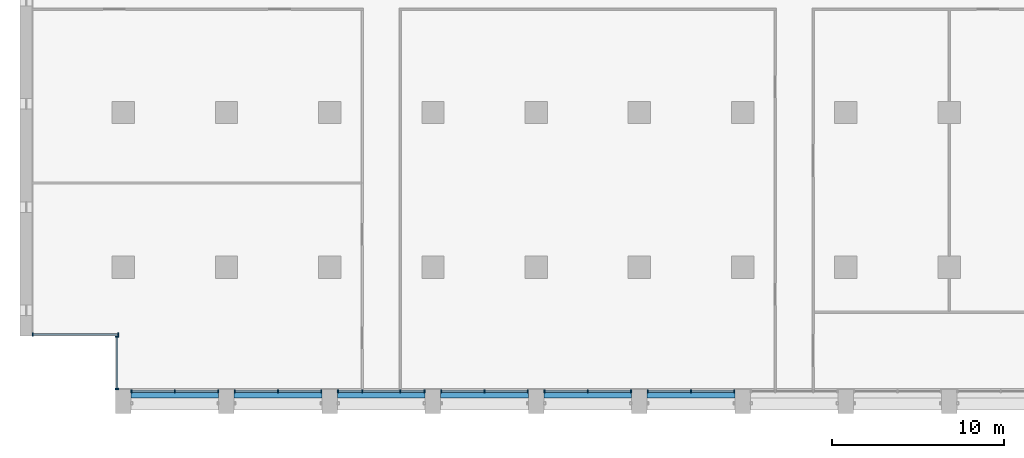
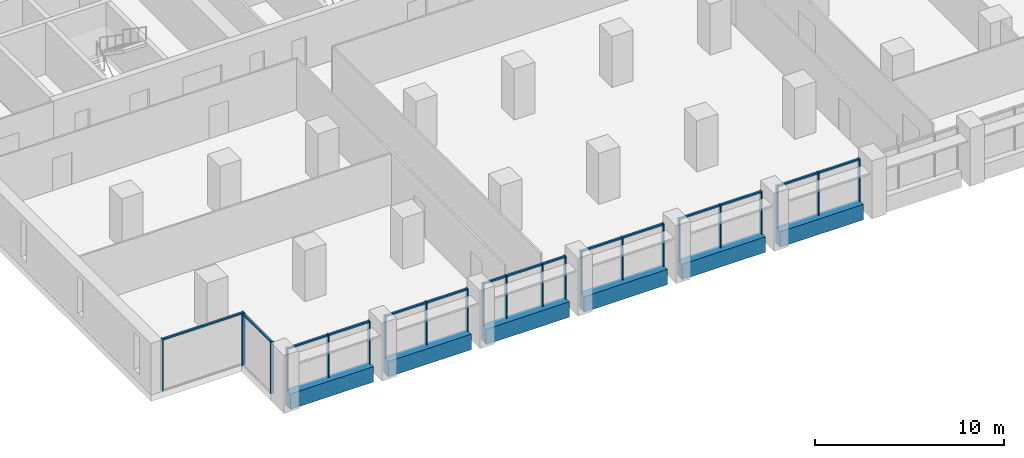
# One storey, part 2 of 15: 38 members, 6 beams, 8 elements without a shape of their own.
"""IFC4 building model written with IfcOpenShell, lengths in metres."""

from ifc_helpers import new_model, si_unit, direction, frame, origin, origin_2d, place, context, subcontext, project, spatial, rectangle, extrude, material, material_profile, profile_set, type_object, element, aggregate, save


model = new_model("IFC4")

# Units and contexts
model_context = context("Model", 3, precision=1e-05, world=origin(), true_north=direction((0.0, 1.0)))
body_context = subcontext(model_context, "Body", "Model", "MODEL_VIEW")
ifc_project = project(units=[si_unit("LENGTHUNIT", "METRE"), si_unit("AREAUNIT", "SQUARE_METRE"), si_unit("VOLUMEUNIT", "CUBIC_METRE"), si_unit("PLANEANGLEUNIT", "RADIAN"), si_unit("MASSUNIT", "GRAM", prefix="KILO")], contexts=[model_context])

# Site, building, storey
site_placement = place(None, origin())
site = spatial("IfcSite", under=ifc_project, at=site_placement, CompositionType="ELEMENT")
building_placement = place(site_placement, origin())
building = spatial("IfcBuilding", under=site, at=building_placement, Name="Calvaro Tower", CompositionType="ELEMENT")
storey_placement = place(building_placement, frame((0.0, 0.0, 128.75)))
storey = spatial("IfcBuildingStorey", under=building, at=storey_placement, Name="L32", CompositionType="ELEMENT", Elevation=128.75)

# Curtain wall, members
ifc_material_1 = material(Name="Anodised aluminium", Category="aluminium")
curtain_wall_type = type_object("IfcCurtainWallType", Name="Office curtain wall, middle zone", PredefinedType="NOTDEFINED", material=ifc_material_1)
curtain_wall_1_placement = place(storey_placement, origin())
curtain_wall_1 = element("IfcCurtainWall", 1, at=curtain_wall_1_placement, inside=storey, type_object=curtain_wall_type, Name="CW2 south curtain wall", PredefinedType="NOTDEFINED")
ifc_material_2 = material(Name="Anodised aluminium", Category="aluminium")
ifc_material_profile_1 = material_profile(ifc_material_2, rectangle(XDim=0.199951171875, YDim=0.070068359375, at=origin_2d()), Name="Mullion S2 70 x 200")
ifc_profile_set_1 = profile_set([ifc_material_profile_1], Name="Anodised aluminium")
member_type_1 = type_object("IfcMemberType", Name="Mullion S2 70 x 200", PredefinedType="MULLION", material=ifc_profile_set_1)
member_1_placement = place(storey_placement, frame((6.485107421875, 2.800048828125, 0.0), z_axis=(0.0, 0.0, 1.0), x_axis=(0.0, 1.0, 0.0)))
member_1 = element("IfcMember", 2, at=member_1_placement, type_object=member_type_1, Name="CW2 mullion 1", PredefinedType="MULLION", context=body_context, shape_type="SweptSolid", body=[
    extrude(rectangle(XDim=0.199951171875, YDim=0.070068359375, at=origin_2d()), origin(), (0.0, 0.0, 1.0), 2.75),
])
member_2_placement = place(storey_placement, frame((9.0, 2.800048828125, 0.0), z_axis=(0.0, 0.0, 1.0), x_axis=(0.0, 1.0, 0.0)))
member_2 = element("IfcMember", 3, at=member_2_placement, type_object=member_type_1, Name="CW2 mullion 2", PredefinedType="MULLION", context=body_context, shape_type="SweptSolid", body=[
    extrude(rectangle(XDim=0.199951171875, YDim=0.070068359375, at=origin_2d()), origin(), (0.0, 0.0, 1.0), 2.75),
])
member_3_placement = place(storey_placement, frame((11.514892578125, 2.800048828125, 0.0), z_axis=(0.0, 0.0, 1.0), x_axis=(0.0, 1.0, 0.0)))
member_3 = element("IfcMember", 4, at=member_3_placement, type_object=member_type_1, Name="CW2 mullion 3", PredefinedType="MULLION", context=body_context, shape_type="SweptSolid", body=[
    extrude(rectangle(XDim=0.199951171875, YDim=0.070068359375, at=origin_2d()), origin(), (0.0, 0.0, 1.0), 2.75),
])

curtain_wall_2_placement = place(storey_placement, origin())
curtain_wall_2 = element("IfcCurtainWall", 5, at=curtain_wall_2_placement, inside=storey, type_object=curtain_wall_type, Name="CW2 south curtain wall", PredefinedType="NOTDEFINED")
member_4_placement = place(storey_placement, frame((12.485107421875, 2.800048828125, 0.0), z_axis=(0.0, 0.0, 1.0), x_axis=(0.0, 1.0, 0.0)))
member_4 = element("IfcMember", 6, at=member_4_placement, type_object=member_type_1, Name="CW2 mullion 1", PredefinedType="MULLION", context=body_context, shape_type="SweptSolid", body=[
    extrude(rectangle(XDim=0.199951171875, YDim=0.070068359375, at=origin_2d()), origin(), (0.0, 0.0, 1.0), 2.75),
])
member_5_placement = place(storey_placement, frame((15.0, 2.800048828125, 0.0), z_axis=(0.0, 0.0, 1.0), x_axis=(0.0, 1.0, 0.0)))
member_5 = element("IfcMember", 7, at=member_5_placement, type_object=member_type_1, Name="CW2 mullion 2", PredefinedType="MULLION", context=body_context, shape_type="SweptSolid", body=[
    extrude(rectangle(XDim=0.199951171875, YDim=0.070068359375, at=origin_2d()), origin(), (0.0, 0.0, 1.0), 2.75),
])
member_6_placement = place(storey_placement, frame((17.514892578125, 2.800048828125, 0.0), z_axis=(0.0, 0.0, 1.0), x_axis=(0.0, 1.0, 0.0)))
member_6 = element("IfcMember", 8, at=member_6_placement, type_object=member_type_1, Name="CW2 mullion 3", PredefinedType="MULLION", context=body_context, shape_type="SweptSolid", body=[
    extrude(rectangle(XDim=0.199951171875, YDim=0.070068359375, at=origin_2d()), origin(), (0.0, 0.0, 1.0), 2.75),
])

curtain_wall_3_placement = place(storey_placement, origin())
curtain_wall_3 = element("IfcCurtainWall", 9, at=curtain_wall_3_placement, inside=storey, type_object=curtain_wall_type, Name="CW2 south curtain wall", PredefinedType="NOTDEFINED")
member_7_placement = place(storey_placement, frame((18.485107421875, 2.800048828125, 0.0), z_axis=(0.0, 0.0, 1.0), x_axis=(0.0, 1.0, 0.0)))
member_7 = element("IfcMember", 10, at=member_7_placement, type_object=member_type_1, Name="CW2 mullion 1", PredefinedType="MULLION", context=body_context, shape_type="SweptSolid", body=[
    extrude(rectangle(XDim=0.199951171875, YDim=0.070068359375, at=origin_2d()), origin(), (0.0, 0.0, 1.0), 2.75),
])
member_8_placement = place(storey_placement, frame((19.89990234375, 2.800048828125, 0.0), z_axis=(0.0, 0.0, 1.0), x_axis=(0.0, 1.0, 0.0)))
member_8 = element("IfcMember", 11, at=member_8_placement, type_object=member_type_1, Name="CW2 mullion 2", PredefinedType="MULLION", context=body_context, shape_type="SweptSolid", body=[
    extrude(rectangle(XDim=0.199951171875, YDim=0.070068359375, at=origin_2d()), origin(), (0.0, 0.0, 1.0), 2.75),
])
member_9_placement = place(storey_placement, frame((22.10009765625, 2.800048828125, 0.0), z_axis=(0.0, 0.0, 1.0), x_axis=(0.0, 1.0, 0.0)))
member_9 = element("IfcMember", 12, at=member_9_placement, type_object=member_type_1, Name="CW2 mullion 3", PredefinedType="MULLION", context=body_context, shape_type="SweptSolid", body=[
    extrude(rectangle(XDim=0.199951171875, YDim=0.070068359375, at=origin_2d()), origin(), (0.0, 0.0, 1.0), 2.75),
])
member_10_placement = place(storey_placement, frame((23.514892578125, 2.800048828125, 0.0), z_axis=(0.0, 0.0, 1.0), x_axis=(0.0, 1.0, 0.0)))
member_10 = element("IfcMember", 13, at=member_10_placement, type_object=member_type_1, Name="CW2 mullion 4", PredefinedType="MULLION", context=body_context, shape_type="SweptSolid", body=[
    extrude(rectangle(XDim=0.199951171875, YDim=0.070068359375, at=origin_2d()), origin(), (0.0, 0.0, 1.0), 2.75),
])

curtain_wall_4_placement = place(storey_placement, origin())
curtain_wall_4 = element("IfcCurtainWall", 14, at=curtain_wall_4_placement, inside=storey, type_object=curtain_wall_type, Name="CW2 south curtain wall", PredefinedType="NOTDEFINED")
member_11_placement = place(storey_placement, frame((24.485107421875, 2.800048828125, 0.0), z_axis=(0.0, 0.0, 1.0), x_axis=(0.0, 1.0, 0.0)))
member_11 = element("IfcMember", 15, at=member_11_placement, type_object=member_type_1, Name="CW2 mullion 1", PredefinedType="MULLION", context=body_context, shape_type="SweptSolid", body=[
    extrude(rectangle(XDim=0.199951171875, YDim=0.070068359375, at=origin_2d()), origin(), (0.0, 0.0, 1.0), 2.75),
])
member_12_placement = place(storey_placement, frame((27.0, 2.800048828125, 0.0), z_axis=(0.0, 0.0, 1.0), x_axis=(0.0, 1.0, 0.0)))
member_12 = element("IfcMember", 16, at=member_12_placement, type_object=member_type_1, Name="CW2 mullion 2", PredefinedType="MULLION", context=body_context, shape_type="SweptSolid", body=[
    extrude(rectangle(XDim=0.199951171875, YDim=0.070068359375, at=origin_2d()), origin(), (0.0, 0.0, 1.0), 2.75),
])
member_13_placement = place(storey_placement, frame((29.514892578125, 2.800048828125, 0.0), z_axis=(0.0, 0.0, 1.0), x_axis=(0.0, 1.0, 0.0)))
member_13 = element("IfcMember", 17, at=member_13_placement, type_object=member_type_1, Name="CW2 mullion 3", PredefinedType="MULLION", context=body_context, shape_type="SweptSolid", body=[
    extrude(rectangle(XDim=0.199951171875, YDim=0.070068359375, at=origin_2d()), origin(), (0.0, 0.0, 1.0), 2.75),
])

curtain_wall_5_placement = place(storey_placement, origin())
curtain_wall_5 = element("IfcCurtainWall", 18, at=curtain_wall_5_placement, inside=storey, type_object=curtain_wall_type, Name="CW2 south curtain wall", PredefinedType="NOTDEFINED")
member_14_placement = place(storey_placement, frame((30.485107421875, 2.800048828125, 0.0), z_axis=(0.0, 0.0, 1.0), x_axis=(0.0, 1.0, 0.0)))
member_14 = element("IfcMember", 19, at=member_14_placement, type_object=member_type_1, Name="CW2 mullion 1", PredefinedType="MULLION", context=body_context, shape_type="SweptSolid", body=[
    extrude(rectangle(XDim=0.199951171875, YDim=0.070068359375, at=origin_2d()), origin(), (0.0, 0.0, 1.0), 2.75),
])
member_15_placement = place(storey_placement, frame((33.0, 2.800048828125, 0.0), z_axis=(0.0, 0.0, 1.0), x_axis=(0.0, 1.0, 0.0)))
member_15 = element("IfcMember", 20, at=member_15_placement, type_object=member_type_1, Name="CW2 mullion 2", PredefinedType="MULLION", context=body_context, shape_type="SweptSolid", body=[
    extrude(rectangle(XDim=0.199951171875, YDim=0.070068359375, at=origin_2d()), origin(), (0.0, 0.0, 1.0), 2.75),
])
member_16_placement = place(storey_placement, frame((35.514892578125, 2.800048828125, 0.0), z_axis=(0.0, 0.0, 1.0), x_axis=(0.0, 1.0, 0.0)))
member_16 = element("IfcMember", 21, at=member_16_placement, type_object=member_type_1, Name="CW2 mullion 3", PredefinedType="MULLION", context=body_context, shape_type="SweptSolid", body=[
    extrude(rectangle(XDim=0.199951171875, YDim=0.070068359375, at=origin_2d()), origin(), (0.0, 0.0, 1.0), 2.75),
])

curtain_wall_6_placement = place(storey_placement, origin())
curtain_wall_6 = element("IfcCurtainWall", 22, at=curtain_wall_6_placement, inside=storey, type_object=curtain_wall_type, Name="CW2 south curtain wall", PredefinedType="NOTDEFINED")
member_17_placement = place(storey_placement, frame((36.485107421875, 2.800048828125, 0.0), z_axis=(0.0, 0.0, 1.0), x_axis=(0.0, 1.0, 0.0)))
member_17 = element("IfcMember", 23, at=member_17_placement, type_object=member_type_1, Name="CW2 mullion 1", PredefinedType="MULLION", context=body_context, shape_type="SweptSolid", body=[
    extrude(rectangle(XDim=0.199951171875, YDim=0.070068359375, at=origin_2d()), origin(), (0.0, 0.0, 1.0), 2.75),
])
member_18_placement = place(storey_placement, frame((39.0, 2.800048828125, 0.0), z_axis=(0.0, 0.0, 1.0), x_axis=(0.0, 1.0, 0.0)))
member_18 = element("IfcMember", 24, at=member_18_placement, type_object=member_type_1, Name="CW2 mullion 2", PredefinedType="MULLION", context=body_context, shape_type="SweptSolid", body=[
    extrude(rectangle(XDim=0.199951171875, YDim=0.070068359375, at=origin_2d()), origin(), (0.0, 0.0, 1.0), 2.75),
])
member_19_placement = place(storey_placement, frame((41.514892578125, 2.800048828125, 0.0), z_axis=(0.0, 0.0, 1.0), x_axis=(0.0, 1.0, 0.0)))
member_19 = element("IfcMember", 25, at=member_19_placement, type_object=member_type_1, Name="CW2 mullion 3", PredefinedType="MULLION", context=body_context, shape_type="SweptSolid", body=[
    extrude(rectangle(XDim=0.199951171875, YDim=0.070068359375, at=origin_2d()), origin(), (0.0, 0.0, 1.0), 2.75),
])

curtain_wall_7_placement = place(storey_placement, origin())
curtain_wall_7 = element("IfcCurtainWall", 26, at=curtain_wall_7_placement, inside=storey, type_object=curtain_wall_type, Name="CW2 corner curtain wall", PredefinedType="NOTDEFINED")
member_20_placement = place(storey_placement, frame((5.64990234375, 2.93505859375, 0.0), z_axis=(0.0, 0.0, 1.0), x_axis=(-1.0, 0.0, 0.0)))
member_20 = element("IfcMember", 27, at=member_20_placement, type_object=member_type_1, Name="CW2 mullion 1", PredefinedType="MULLION", context=body_context, shape_type="SweptSolid", body=[
    extrude(rectangle(XDim=0.199951171875, YDim=0.070068359375, at=origin_2d()), origin(), (0.0, 0.0, 1.0), 3.35009765625),
])
member_21_placement = place(storey_placement, frame((5.64990234375, 5.965087890625, 0.0), z_axis=(0.0, 0.0, 1.0), x_axis=(-1.0, 0.0, 0.0)))
member_21 = element("IfcMember", 28, at=member_21_placement, type_object=member_type_1, Name="CW2 mullion 2", PredefinedType="MULLION", context=body_context, shape_type="SweptSolid", body=[
    extrude(rectangle(XDim=0.199951171875, YDim=0.070068359375, at=origin_2d()), origin(), (0.0, 0.0, 1.0), 3.35009765625),
])

curtain_wall_8_placement = place(storey_placement, origin())
curtain_wall_8 = element("IfcCurtainWall", 29, at=curtain_wall_8_placement, inside=storey, type_object=curtain_wall_type, Name="CW2 corner curtain wall", PredefinedType="NOTDEFINED")
member_22_placement = place(storey_placement, frame((0.735107421875, 6.10009765625, 0.0), z_axis=(0.0, 0.0, 1.0), x_axis=(0.0, 1.0, 0.0)))
member_22 = element("IfcMember", 30, at=member_22_placement, type_object=member_type_1, Name="CW2 mullion 1", PredefinedType="MULLION", context=body_context, shape_type="SweptSolid", body=[
    extrude(rectangle(XDim=0.199951171875, YDim=0.070068359375, at=origin_2d()), origin(), (0.0, 0.0, 1.0), 3.35009765625),
])
member_23_placement = place(storey_placement, frame((5.715087890625, 6.10009765625, 0.0), z_axis=(0.0, 0.0, 1.0), x_axis=(0.0, 1.0, 0.0)))
member_23 = element("IfcMember", 31, at=member_23_placement, type_object=member_type_1, Name="CW2 mullion 2", PredefinedType="MULLION", context=body_context, shape_type="SweptSolid", body=[
    extrude(rectangle(XDim=0.199951171875, YDim=0.070068359375, at=origin_2d()), origin(), (0.0, 0.0, 1.0), 3.35009765625),
])

# Beams
ifc_material_3 = material(Name="Concrete C50/60 precast", Category="concrete")
ifc_material_profile_2 = material_profile(ifc_material_3, rectangle(XDim=0.5, YDim=1.0, at=origin_2d()), Name="RC 500x1000")
ifc_profile_set_2 = profile_set([ifc_material_profile_2], Name="Concrete C50/60 precast")
beam_type = type_object("IfcBeamType", Name="Spandrel beam 500x1000 C50/60", PredefinedType="SPANDREL", material=ifc_profile_set_2)
for number, where, z_axis, x_axis, name in (
    (32, (6.449951171875, 2.64990234375, -0.5), (1.0, 0.0, 0.0), (0.0, 1.0, 0.0), "Spandrel beam"),
    (33, (12.449951171875, 2.64990234375, -0.5), (1.0, 0.0, 0.0), (0.0, 1.0, 0.0), "Spandrel beam"),
    (34, (18.449951171875, 2.64990234375, -0.5), (1.0, 0.0, 0.0), (0.0, 1.0, 0.0), "Spandrel beam"),
    (35, (24.449951171875, 2.64990234375, -0.5), (1.0, 0.0, 0.0), (0.0, 1.0, 0.0), "Spandrel beam"),
    (36, (30.449951171875, 2.64990234375, -0.5), (1.0, 0.0, 0.0), (0.0, 1.0, 0.0), "Spandrel beam"),
    (37, (36.449951171875, 2.64990234375, -0.5), (1.0, 0.0, 0.0), (0.0, 1.0, 0.0), "Spandrel beam"),
):
    element("IfcBeam", number, at=place(storey_placement, frame(where, z_axis=z_axis, x_axis=x_axis)), inside=storey, type_object=beam_type, Name=name, PredefinedType="SPANDREL", context=body_context, shape_type="SweptSolid", body=[
        extrude(rectangle(XDim=0.5, YDim=1.0, at=origin_2d()), origin(), (0.0, 0.0, 1.0), 5.10009765625),
    ])

# Member
ifc_material_4 = material(Name="Anodised aluminium", Category="aluminium")
ifc_material_profile_3 = material_profile(ifc_material_4, rectangle(XDim=0.1201171875, YDim=0.10009765625, at=origin_2d()), Name="Transom S2 100 x 120")
ifc_profile_set_3 = profile_set([ifc_material_profile_3], Name="Anodised aluminium")
member_type_2 = type_object("IfcMemberType", Name="Transom S2 100 x 120", PredefinedType="USERDEFINED", material=ifc_profile_set_3)
member_24_placement = place(storey_placement, frame((6.52001953125, 2.800048828125, 2.699951171875), z_axis=(1.0, 0.0, 0.0), x_axis=(0.0, 1.0, 0.0)))
member_24 = element("IfcMember", 38, at=member_24_placement, type_object=member_type_2, Name="CW2 transom 1.1", ObjectType="TRANSOM", PredefinedType="USERDEFINED", context=body_context, shape_type="SweptSolid", body=[
    extrude(rectangle(XDim=0.1201171875, YDim=0.10009765625, at=origin_2d()), origin(), (0.0, 0.0, 1.0), 2.445068359375),
])

member_25_placement = place(storey_placement, frame((9.034912109375, 2.800048828125, 2.699951171875), z_axis=(1.0, 0.0, 0.0), x_axis=(0.0, 1.0, 0.0)))
member_25 = element("IfcMember", 39, at=member_25_placement, type_object=member_type_2, Name="CW2 transom 2.1", ObjectType="TRANSOM", PredefinedType="USERDEFINED", context=body_context, shape_type="SweptSolid", body=[
    extrude(rectangle(XDim=0.1201171875, YDim=0.10009765625, at=origin_2d()), origin(), (0.0, 0.0, 1.0), 2.445068359375),
])

aggregate(curtain_wall_1, [member_1, member_2, member_3, member_24, member_25])

member_26_placement = place(storey_placement, frame((12.52001953125, 2.800048828125, 2.699951171875), z_axis=(1.0, 0.0, 0.0), x_axis=(0.0, 1.0, 0.0)))
member_26 = element("IfcMember", 40, at=member_26_placement, type_object=member_type_2, Name="CW2 transom 1.1", ObjectType="TRANSOM", PredefinedType="USERDEFINED", context=body_context, shape_type="SweptSolid", body=[
    extrude(rectangle(XDim=0.1201171875, YDim=0.10009765625, at=origin_2d()), origin(), (0.0, 0.0, 1.0), 2.445068359375),
])

member_27_placement = place(storey_placement, frame((15.034912109375, 2.800048828125, 2.699951171875), z_axis=(1.0, 0.0, 0.0), x_axis=(0.0, 1.0, 0.0)))
member_27 = element("IfcMember", 41, at=member_27_placement, type_object=member_type_2, Name="CW2 transom 2.1", ObjectType="TRANSOM", PredefinedType="USERDEFINED", context=body_context, shape_type="SweptSolid", body=[
    extrude(rectangle(XDim=0.1201171875, YDim=0.10009765625, at=origin_2d()), origin(), (0.0, 0.0, 1.0), 2.445068359375),
])

aggregate(curtain_wall_2, [member_4, member_5, member_6, member_26, member_27])

member_28_placement = place(storey_placement, frame((18.52001953125, 2.800048828125, 2.699951171875), z_axis=(1.0, 0.0, 0.0), x_axis=(0.0, 1.0, 0.0)))
member_28 = element("IfcMember", 42, at=member_28_placement, type_object=member_type_2, Name="CW2 transom 1.1", ObjectType="TRANSOM", PredefinedType="USERDEFINED", context=body_context, shape_type="SweptSolid", body=[
    extrude(rectangle(XDim=0.1201171875, YDim=0.10009765625, at=origin_2d()), origin(), (0.0, 0.0, 1.0), 1.344970703125),
])

member_29_placement = place(storey_placement, frame((19.93505859375, 2.800048828125, 2.699951171875), z_axis=(1.0, 0.0, 0.0), x_axis=(0.0, 1.0, 0.0)))
member_29 = element("IfcMember", 43, at=member_29_placement, type_object=member_type_2, Name="CW2 transom 2.1", ObjectType="TRANSOM", PredefinedType="USERDEFINED", context=body_context, shape_type="SweptSolid", body=[
    extrude(rectangle(XDim=0.1201171875, YDim=0.10009765625, at=origin_2d()), origin(), (0.0, 0.0, 1.0), 2.1298828125),
])

member_30_placement = place(storey_placement, frame((22.135009765625, 2.800048828125, 2.699951171875), z_axis=(1.0, 0.0, 0.0), x_axis=(0.0, 1.0, 0.0)))
member_30 = element("IfcMember", 44, at=member_30_placement, type_object=member_type_2, Name="CW2 transom 3.1", ObjectType="TRANSOM", PredefinedType="USERDEFINED", context=body_context, shape_type="SweptSolid", body=[
    extrude(rectangle(XDim=0.1201171875, YDim=0.10009765625, at=origin_2d()), origin(), (0.0, 0.0, 1.0), 1.344970703125),
])

aggregate(curtain_wall_3, [member_7, member_8, member_9, member_10, member_28, member_29, member_30])

member_31_placement = place(storey_placement, frame((24.52001953125, 2.800048828125, 2.699951171875), z_axis=(1.0, 0.0, 0.0), x_axis=(0.0, 1.0, 0.0)))
member_31 = element("IfcMember", 45, at=member_31_placement, type_object=member_type_2, Name="CW2 transom 1.1", ObjectType="TRANSOM", PredefinedType="USERDEFINED", context=body_context, shape_type="SweptSolid", body=[
    extrude(rectangle(XDim=0.1201171875, YDim=0.10009765625, at=origin_2d()), origin(), (0.0, 0.0, 1.0), 2.445068359375),
])

member_32_placement = place(storey_placement, frame((27.034912109375, 2.800048828125, 2.699951171875), z_axis=(1.0, 0.0, 0.0), x_axis=(0.0, 1.0, 0.0)))
member_32 = element("IfcMember", 46, at=member_32_placement, type_object=member_type_2, Name="CW2 transom 2.1", ObjectType="TRANSOM", PredefinedType="USERDEFINED", context=body_context, shape_type="SweptSolid", body=[
    extrude(rectangle(XDim=0.1201171875, YDim=0.10009765625, at=origin_2d()), origin(), (0.0, 0.0, 1.0), 2.445068359375),
])

aggregate(curtain_wall_4, [member_11, member_12, member_13, member_31, member_32])

member_33_placement = place(storey_placement, frame((30.52001953125, 2.800048828125, 2.699951171875), z_axis=(1.0, 0.0, 0.0), x_axis=(0.0, 1.0, 0.0)))
member_33 = element("IfcMember", 47, at=member_33_placement, type_object=member_type_2, Name="CW2 transom 1.1", ObjectType="TRANSOM", PredefinedType="USERDEFINED", context=body_context, shape_type="SweptSolid", body=[
    extrude(rectangle(XDim=0.1201171875, YDim=0.10009765625, at=origin_2d()), origin(), (0.0, 0.0, 1.0), 2.445068359375),
])

member_34_placement = place(storey_placement, frame((33.034912109375, 2.800048828125, 2.699951171875), z_axis=(1.0, 0.0, 0.0), x_axis=(0.0, 1.0, 0.0)))
member_34 = element("IfcMember", 48, at=member_34_placement, type_object=member_type_2, Name="CW2 transom 2.1", ObjectType="TRANSOM", PredefinedType="USERDEFINED", context=body_context, shape_type="SweptSolid", body=[
    extrude(rectangle(XDim=0.1201171875, YDim=0.10009765625, at=origin_2d()), origin(), (0.0, 0.0, 1.0), 2.445068359375),
])

aggregate(curtain_wall_5, [member_14, member_15, member_16, member_33, member_34])

member_35_placement = place(storey_placement, frame((36.52001953125, 2.800048828125, 2.699951171875), z_axis=(1.0, 0.0, 0.0), x_axis=(0.0, 1.0, 0.0)))
member_35 = element("IfcMember", 49, at=member_35_placement, type_object=member_type_2, Name="CW2 transom 1.1", ObjectType="TRANSOM", PredefinedType="USERDEFINED", context=body_context, shape_type="SweptSolid", body=[
    extrude(rectangle(XDim=0.1201171875, YDim=0.10009765625, at=origin_2d()), origin(), (0.0, 0.0, 1.0), 2.445068359375),
])

member_36_placement = place(storey_placement, frame((39.034912109375, 2.800048828125, 2.699951171875), z_axis=(1.0, 0.0, 0.0), x_axis=(0.0, 1.0, 0.0)))
member_36 = element("IfcMember", 50, at=member_36_placement, type_object=member_type_2, Name="CW2 transom 2.1", ObjectType="TRANSOM", PredefinedType="USERDEFINED", context=body_context, shape_type="SweptSolid", body=[
    extrude(rectangle(XDim=0.1201171875, YDim=0.10009765625, at=origin_2d()), origin(), (0.0, 0.0, 1.0), 2.445068359375),
])

aggregate(curtain_wall_6, [member_17, member_18, member_19, member_35, member_36])

member_37_placement = place(storey_placement, frame((5.64990234375, 2.969970703125, 3.300048828125), z_axis=(0.0, 1.0, 0.0), x_axis=(-1.0, 0.0, 0.0)))
member_37 = element("IfcMember", 51, at=member_37_placement, type_object=member_type_2, Name="CW2 transom 1.1", ObjectType="TRANSOM", PredefinedType="USERDEFINED", context=body_context, shape_type="SweptSolid", body=[
    extrude(rectangle(XDim=0.1201171875, YDim=0.10009765625, at=origin_2d()), origin(), (0.0, 0.0, 1.0), 2.9599609375),
])

aggregate(curtain_wall_7, [member_20, member_21, member_37])

member_38_placement = place(storey_placement, frame((0.77001953125, 6.10009765625, 3.300048828125), z_axis=(1.0, 0.0, 0.0), x_axis=(0.0, 1.0, 0.0)))
member_38 = element("IfcMember", 52, at=member_38_placement, type_object=member_type_2, Name="CW2 transom 1.1", ObjectType="TRANSOM", PredefinedType="USERDEFINED", context=body_context, shape_type="SweptSolid", body=[
    extrude(rectangle(XDim=0.1201171875, YDim=0.10009765625, at=origin_2d()), origin(), (0.0, 0.0, 1.0), 4.909912109375),
])

aggregate(curtain_wall_8, [member_22, member_23, member_38])

save(model, "model.ifc")
